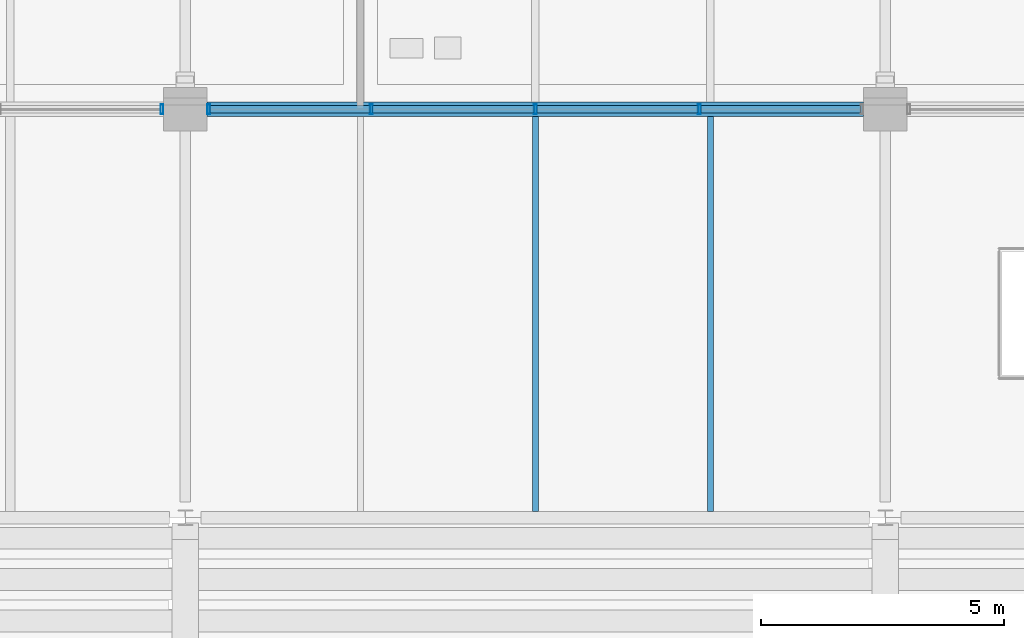
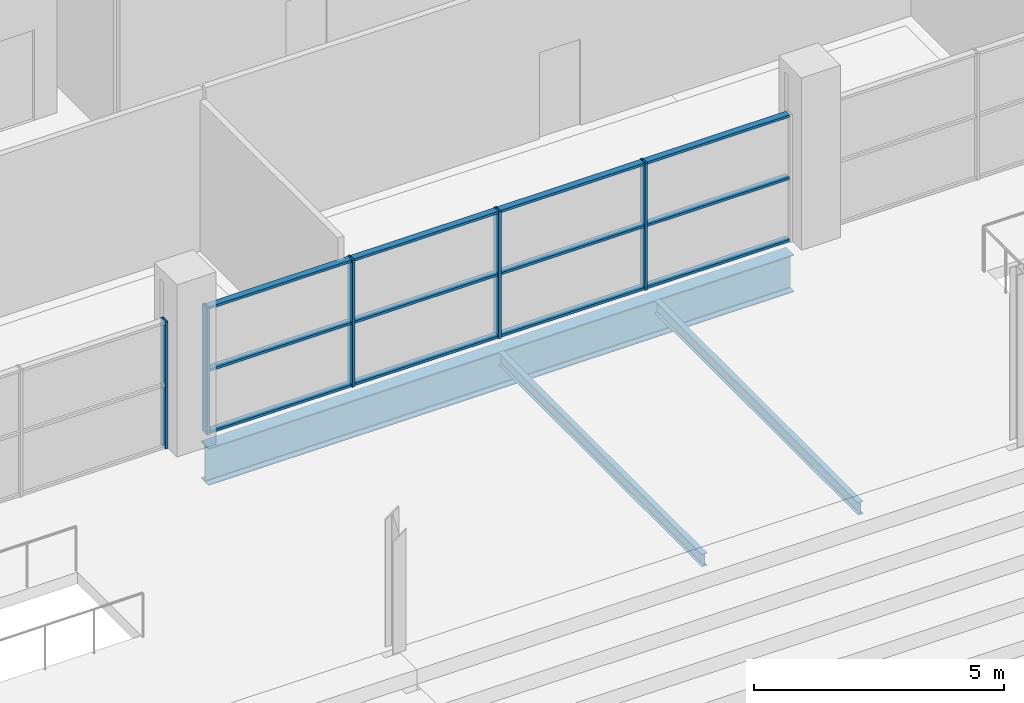
# One storey, part 67 of 161: 17 members, 3 beams, 2 elements without a shape of their own.
"""IFC4 building model written with IfcOpenShell, lengths in metres."""

from ifc_helpers import new_model, si_unit, direction, frame, origin, origin_2d, place, context, subcontext, project, spatial, hollow_rectangle, i_section, extrude, material, material_profile, profile_set, type_object, element, aggregate, save


model = new_model("IFC4")

# Units and contexts
model_context = context("Model", 3, precision=1e-05, world=origin(), true_north=direction((0.0, 1.0)))
body_context = subcontext(model_context, "Body", "Model", "MODEL_VIEW")
ifc_project = project(units=[si_unit("LENGTHUNIT", "METRE"), si_unit("AREAUNIT", "SQUARE_METRE"), si_unit("VOLUMEUNIT", "CUBIC_METRE"), si_unit("PLANEANGLEUNIT", "RADIAN"), si_unit("MASSUNIT", "GRAM", prefix="KILO"), si_unit("THERMODYNAMICTEMPERATUREUNIT", "KELVIN")], contexts=[model_context])

# Site, building, storey
site_placement = place(None, origin())
site = spatial("IfcSite", under=ifc_project, at=site_placement, CompositionType="ELEMENT")
building_placement = place(site_placement, origin())
building = spatial("IfcBuilding", under=site, at=building_placement, Name="Nduvali Passage Aquatics Centre", CompositionType="ELEMENT")
storey_placement = place(building_placement, frame((0.0, 0.0, 4.800048828125)))
storey = spatial("IfcBuildingStorey", under=building, at=storey_placement, Name="L01", CompositionType="ELEMENT", Elevation=4.800048828125)

# Curtain wall, member
ifc_material_1 = material(Name="Aluminium EN AW-6063 T6", Category="aluminium")
curtain_wall_type = type_object("IfcCurtainWallType", Name="ENV-CW-HALL", PredefinedType="NOTDEFINED", material=ifc_material_1)
curtain_wall_1_placement = place(storey_placement, origin())
curtain_wall_1 = element("IfcCurtainWall", 1, at=curtain_wall_1_placement, inside=storey, type_object=curtain_wall_type, Name="L01 North Pool Hall Concourse CW 062", PredefinedType="NOTDEFINED")
ifc_material_profile_1 = material_profile(ifc_material_1, hollow_rectangle(XDim=0.06005859375, YDim=0.199951171875, WallThickness=0.00390625, at=origin_2d()), Name="ALU MULLION 60x200x4")
ifc_profile_set_1 = profile_set([ifc_material_profile_1], Name="Aluminium EN AW-6063 T6")
member_type_1 = type_object("IfcMemberType", Name="ENV-MEM-MUL80", PredefinedType="MULLION", material=ifc_profile_set_1)
member_1_placement = place(storey_placement, frame((82.320068359375, 92.39990234375, 0.0), z_axis=(0.0, 0.0, 1.0), x_axis=(1.0, 0.0, 0.0)))
member_1 = element("IfcMember", 2, at=member_1_placement, type_object=member_type_1, Name="North Pool Hall Concourse CW Mullion 5", PredefinedType="MULLION", context=body_context, shape_type="SweptSolid", body=[
    extrude(hollow_rectangle(XDim=0.06005859375, YDim=0.199951171875, WallThickness=0.00390625, at=origin_2d()), origin(), (0.0, 0.0, 1.0), 3.09521484375),
])
aggregate(curtain_wall_1, [member_1])

# Curtain wall, members
curtain_wall_2_placement = place(storey_placement, origin())
curtain_wall_2 = element("IfcCurtainWall", 3, at=curtain_wall_2_placement, inside=storey, type_object=curtain_wall_type, Name="L01 North Pool Hall Concourse CW 064", PredefinedType="NOTDEFINED")
member_2_placement = place(storey_placement, frame((83.280029296875, 92.39990234375, 0.0), z_axis=(0.0, 0.0, 1.0), x_axis=(1.0, 0.0, 0.0)))
member_2 = element("IfcMember", 4, at=member_2_placement, type_object=member_type_1, Name="North Pool Hall Concourse CW Mullion 1", PredefinedType="MULLION", context=body_context, shape_type="SweptSolid", body=[
    extrude(hollow_rectangle(XDim=0.06005859375, YDim=0.199951171875, WallThickness=0.00390625, at=origin_2d()), origin(), (0.0, 0.0, 1.0), 3.09521484375),
])
member_3_placement = place(storey_placement, frame((86.625, 92.39990234375, 0.0), z_axis=(0.0, 0.0, 1.0), x_axis=(1.0, 0.0, 0.0)))
member_3 = element("IfcMember", 5, at=member_3_placement, type_object=member_type_1, Name="North Pool Hall Concourse CW Mullion 2", PredefinedType="MULLION", context=body_context, shape_type="SweptSolid", body=[
    extrude(hollow_rectangle(XDim=0.06005859375, YDim=0.199951171875, WallThickness=0.00390625, at=origin_2d()), origin(), (0.0, 0.0, 1.0), 3.09521484375),
])
member_4_placement = place(storey_placement, frame((90.0, 92.39990234375, 0.0), z_axis=(0.0, 0.0, 1.0), x_axis=(1.0, 0.0, 0.0)))
member_4 = element("IfcMember", 6, at=member_4_placement, type_object=member_type_1, Name="North Pool Hall Concourse CW Mullion 3", PredefinedType="MULLION", context=body_context, shape_type="SweptSolid", body=[
    extrude(hollow_rectangle(XDim=0.06005859375, YDim=0.199951171875, WallThickness=0.00390625, at=origin_2d()), origin(), (0.0, 0.0, 1.0), 3.09521484375),
])
member_5_placement = place(storey_placement, frame((93.375, 92.39990234375, 0.0), z_axis=(0.0, 0.0, 1.0), x_axis=(1.0, 0.0, 0.0)))
member_5 = element("IfcMember", 7, at=member_5_placement, type_object=member_type_1, Name="North Pool Hall Concourse CW Mullion 4", PredefinedType="MULLION", context=body_context, shape_type="SweptSolid", body=[
    extrude(hollow_rectangle(XDim=0.06005859375, YDim=0.199951171875, WallThickness=0.00390625, at=origin_2d()), origin(), (0.0, 0.0, 1.0), 3.09521484375),
])
ifc_material_profile_2 = material_profile(ifc_material_1, hollow_rectangle(XDim=0.14990234375, YDim=0.06005859375, WallThickness=0.00390625, at=origin_2d()), Name="ALU TRANSOM 150x60x4")
ifc_profile_set_2 = profile_set([ifc_material_profile_2], Name="Aluminium EN AW-6063 T6")
member_type_2 = type_object("IfcMemberType", Name="ENV-MEM-TRN80", PredefinedType="USERDEFINED", material=ifc_profile_set_2)
member_6_placement = place(storey_placement, frame((83.31005859375, 92.39990234375, 0.030029296875), z_axis=(1.0, 0.0, 0.0), x_axis=(0.0, 1.0, 0.0)))
member_6 = element("IfcMember", 8, at=member_6_placement, type_object=member_type_2, Name="North Pool Hall Concourse CW Transom B1-R0", ObjectType="TRANSOM", PredefinedType="USERDEFINED", context=body_context, shape_type="SweptSolid", body=[
    extrude(hollow_rectangle(XDim=0.14990234375, YDim=0.06005859375, WallThickness=0.00390625, at=origin_2d()), origin(), (0.0, 0.0, 1.0), 3.284912109375),
])
member_7_placement = place(storey_placement, frame((83.31005859375, 92.39990234375, 1.547607421875), z_axis=(1.0, 0.0, 0.0), x_axis=(0.0, 1.0, 0.0)))
member_7 = element("IfcMember", 9, at=member_7_placement, type_object=member_type_2, Name="North Pool Hall Concourse CW Transom B1-R1", ObjectType="TRANSOM", PredefinedType="USERDEFINED", context=body_context, shape_type="SweptSolid", body=[
    extrude(hollow_rectangle(XDim=0.14990234375, YDim=0.06005859375, WallThickness=0.00390625, at=origin_2d()), origin(), (0.0, 0.0, 1.0), 3.284912109375),
])
member_8_placement = place(storey_placement, frame((83.31005859375, 92.39990234375, 3.065185546875), z_axis=(1.0, 0.0, 0.0), x_axis=(0.0, 1.0, 0.0)))
member_8 = element("IfcMember", 10, at=member_8_placement, type_object=member_type_2, Name="North Pool Hall Concourse CW Transom B1-R2", ObjectType="TRANSOM", PredefinedType="USERDEFINED", context=body_context, shape_type="SweptSolid", body=[
    extrude(hollow_rectangle(XDim=0.14990234375, YDim=0.06005859375, WallThickness=0.00390625, at=origin_2d()), origin(), (0.0, 0.0, 1.0), 3.284912109375),
])
member_9_placement = place(storey_placement, frame((86.655029296875, 92.39990234375, 0.030029296875), z_axis=(1.0, 0.0, 0.0), x_axis=(0.0, 1.0, 0.0)))
member_9 = element("IfcMember", 11, at=member_9_placement, type_object=member_type_2, Name="North Pool Hall Concourse CW Transom B2-R0", ObjectType="TRANSOM", PredefinedType="USERDEFINED", context=body_context, shape_type="SweptSolid", body=[
    extrude(hollow_rectangle(XDim=0.14990234375, YDim=0.06005859375, WallThickness=0.00390625, at=origin_2d()), origin(), (0.0, 0.0, 1.0), 3.31494140625),
])
member_10_placement = place(storey_placement, frame((86.655029296875, 92.39990234375, 1.547607421875), z_axis=(1.0, 0.0, 0.0), x_axis=(0.0, 1.0, 0.0)))
member_10 = element("IfcMember", 12, at=member_10_placement, type_object=member_type_2, Name="North Pool Hall Concourse CW Transom B2-R1", ObjectType="TRANSOM", PredefinedType="USERDEFINED", context=body_context, shape_type="SweptSolid", body=[
    extrude(hollow_rectangle(XDim=0.14990234375, YDim=0.06005859375, WallThickness=0.00390625, at=origin_2d()), origin(), (0.0, 0.0, 1.0), 3.31494140625),
])
member_11_placement = place(storey_placement, frame((86.655029296875, 92.39990234375, 3.065185546875), z_axis=(1.0, 0.0, 0.0), x_axis=(0.0, 1.0, 0.0)))
member_11 = element("IfcMember", 13, at=member_11_placement, type_object=member_type_2, Name="North Pool Hall Concourse CW Transom B2-R2", ObjectType="TRANSOM", PredefinedType="USERDEFINED", context=body_context, shape_type="SweptSolid", body=[
    extrude(hollow_rectangle(XDim=0.14990234375, YDim=0.06005859375, WallThickness=0.00390625, at=origin_2d()), origin(), (0.0, 0.0, 1.0), 3.31494140625),
])
member_12_placement = place(storey_placement, frame((90.030029296875, 92.39990234375, 0.030029296875), z_axis=(1.0, 0.0, 0.0), x_axis=(0.0, 1.0, 0.0)))
member_12 = element("IfcMember", 14, at=member_12_placement, type_object=member_type_2, Name="North Pool Hall Concourse CW Transom B3-R0", ObjectType="TRANSOM", PredefinedType="USERDEFINED", context=body_context, shape_type="SweptSolid", body=[
    extrude(hollow_rectangle(XDim=0.14990234375, YDim=0.06005859375, WallThickness=0.00390625, at=origin_2d()), origin(), (0.0, 0.0, 1.0), 3.31494140625),
])
member_13_placement = place(storey_placement, frame((90.030029296875, 92.39990234375, 1.547607421875), z_axis=(1.0, 0.0, 0.0), x_axis=(0.0, 1.0, 0.0)))
member_13 = element("IfcMember", 15, at=member_13_placement, type_object=member_type_2, Name="North Pool Hall Concourse CW Transom B3-R1", ObjectType="TRANSOM", PredefinedType="USERDEFINED", context=body_context, shape_type="SweptSolid", body=[
    extrude(hollow_rectangle(XDim=0.14990234375, YDim=0.06005859375, WallThickness=0.00390625, at=origin_2d()), origin(), (0.0, 0.0, 1.0), 3.31494140625),
])
member_14_placement = place(storey_placement, frame((90.030029296875, 92.39990234375, 3.065185546875), z_axis=(1.0, 0.0, 0.0), x_axis=(0.0, 1.0, 0.0)))
member_14 = element("IfcMember", 16, at=member_14_placement, type_object=member_type_2, Name="North Pool Hall Concourse CW Transom B3-R2", ObjectType="TRANSOM", PredefinedType="USERDEFINED", context=body_context, shape_type="SweptSolid", body=[
    extrude(hollow_rectangle(XDim=0.14990234375, YDim=0.06005859375, WallThickness=0.00390625, at=origin_2d()), origin(), (0.0, 0.0, 1.0), 3.31494140625),
])
member_15_placement = place(storey_placement, frame((93.405029296875, 92.39990234375, 0.030029296875), z_axis=(1.0, 0.0, 0.0), x_axis=(0.0, 1.0, 0.0)))
member_15 = element("IfcMember", 17, at=member_15_placement, type_object=member_type_2, Name="North Pool Hall Concourse CW Transom B4-R0", ObjectType="TRANSOM", PredefinedType="USERDEFINED", context=body_context, shape_type="SweptSolid", body=[
    extrude(hollow_rectangle(XDim=0.14990234375, YDim=0.06005859375, WallThickness=0.00390625, at=origin_2d()), origin(), (0.0, 0.0, 1.0), 3.284912109375),
])
member_16_placement = place(storey_placement, frame((93.405029296875, 92.39990234375, 1.547607421875), z_axis=(1.0, 0.0, 0.0), x_axis=(0.0, 1.0, 0.0)))
member_16 = element("IfcMember", 18, at=member_16_placement, type_object=member_type_2, Name="North Pool Hall Concourse CW Transom B4-R1", ObjectType="TRANSOM", PredefinedType="USERDEFINED", context=body_context, shape_type="SweptSolid", body=[
    extrude(hollow_rectangle(XDim=0.14990234375, YDim=0.06005859375, WallThickness=0.00390625, at=origin_2d()), origin(), (0.0, 0.0, 1.0), 3.284912109375),
])
member_17_placement = place(storey_placement, frame((93.405029296875, 92.39990234375, 3.065185546875), z_axis=(1.0, 0.0, 0.0), x_axis=(0.0, 1.0, 0.0)))
member_17 = element("IfcMember", 19, at=member_17_placement, type_object=member_type_2, Name="North Pool Hall Concourse CW Transom B4-R2", ObjectType="TRANSOM", PredefinedType="USERDEFINED", context=body_context, shape_type="SweptSolid", body=[
    extrude(hollow_rectangle(XDim=0.14990234375, YDim=0.06005859375, WallThickness=0.00390625, at=origin_2d()), origin(), (0.0, 0.0, 1.0), 3.284912109375),
])
aggregate(curtain_wall_2, [member_2, member_3, member_4, member_5, member_6, member_7, member_8, member_9, member_10, member_11, member_12, member_13, member_14, member_15, member_16, member_17])

# Beams
ifc_material_2 = material(Name="Steel S355", Category="steel")
ifc_material_profile_3 = material_profile(ifc_material_2, i_section(OverallWidth=0.30419921875, OverallDepth=0.910400390625, WebThickness=0.015869140625, FlangeThickness=0.02392578125, FilletRadius=0.01904296875, at=origin_2d()), Name="UKB 914x305x224")
ifc_profile_set_3 = profile_set([ifc_material_profile_3], Name="Steel S355")
beam_type_1 = type_object("IfcBeamType", Name="STR-BM-UKB914-EXT", PredefinedType="BEAM", material=ifc_profile_set_3)
beam_placement = place(storey_placement, frame((83.25, 92.39990234375, -0.7392578125), z_axis=(1.0, 0.0, 0.0), x_axis=(0.0, 1.0, 0.0)))
element("IfcBeam", 20, at=beam_placement, inside=storey, type_object=beam_type_1, Name="L01 Primary X-Girder B4AE-0528", PredefinedType="BEAM", context=body_context, shape_type="SweptSolid", body=[
    extrude(i_section(OverallWidth=0.30419921875, OverallDepth=0.910400390625, WebThickness=0.015869140625, FlangeThickness=0.02392578125, FilletRadius=0.01904296875, at=origin_2d()), origin(), (0.0, 0.0, 1.0), 13.5),
])
ifc_material_profile_4 = material_profile(ifc_material_2, i_section(OverallWidth=0.124267578125, OverallDepth=0.30712890625, WebThickness=0.008056640625, FlangeThickness=0.01220703125, FilletRadius=0.0087890625, at=origin_2d()), Name="UKB 305x127x42")
ifc_profile_set_4 = profile_set([ifc_material_profile_4], Name="Steel S355")
beam_type_2 = type_object("IfcBeamType", Name="STR-JST-UKB305L", PredefinedType="JOIST", material=ifc_profile_set_4)
for number, where, z_axis, x_axis, name in (
    (21, (90.0, 84.126708984375, -0.437744140625), (0.0, 1.0, 0.0), (-1.0, 0.0, 0.0), "L01 Secondary Joist J3A-0804"),
    (22, (93.60009765625, 84.126708984375, -0.437744140625), (0.0, 1.0, 0.0), (-1.0, 0.0, 0.0), "L01 Secondary Joist J3A-0805"),
):
    element("IfcBeam", number, at=place(storey_placement, frame(where, z_axis=z_axis, x_axis=x_axis)), inside=storey, type_object=beam_type_2, Name=name, PredefinedType="JOIST", context=body_context, shape_type="SweptSolid", body=[
        extrude(i_section(OverallWidth=0.124267578125, OverallDepth=0.30712890625, WebThickness=0.008056640625, FlangeThickness=0.01220703125, FilletRadius=0.0087890625, at=origin_2d()), origin(), (0.0, 0.0, 1.0), 8.121337890625),
    ])

save(model, "model.ifc")
